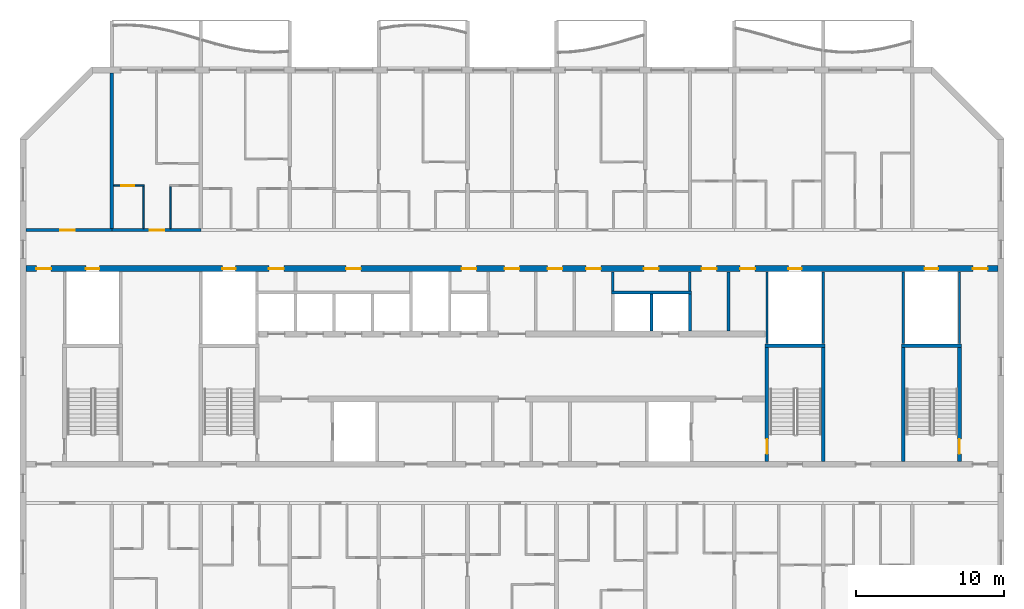
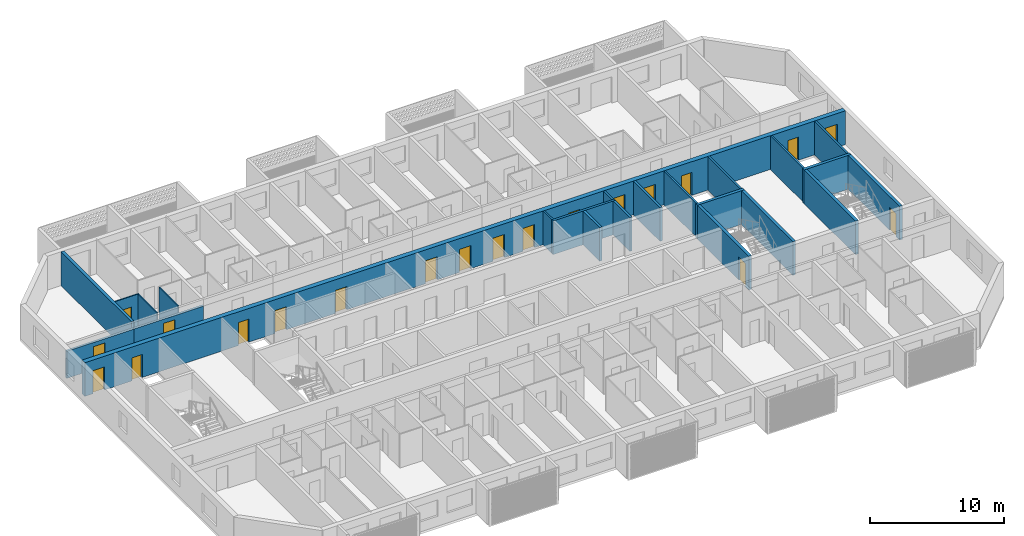
# One storey, part 7 of 27: 23 walls, 20 doors, 20 openings.
"""IFC4 building model written with IfcOpenShell, lengths in metres."""

from ifc_helpers import new_model, si_unit, direction, frame, frame_2d, origin, place, context, subcontext, project, spatial, rectangle, extrude, material, layer, layer_set, type_object, element, fill, save


model = new_model("IFC4")

# Units and contexts
model_context = context("Model", 3, precision=1e-05, world=origin(), true_north=direction((0.0, 1.0)))
body_context = subcontext(model_context, "Body", "Model", "MODEL_VIEW")
ifc_project = project(units=[si_unit("LENGTHUNIT", "METRE"), si_unit("AREAUNIT", "SQUARE_METRE"), si_unit("VOLUMEUNIT", "CUBIC_METRE"), si_unit("PLANEANGLEUNIT", "RADIAN"), si_unit("MASSUNIT", "GRAM", prefix="KILO")], contexts=[model_context])

# Site, building, storey
site_placement = place(None, origin())
site = spatial("IfcSite", under=ifc_project, at=site_placement, CompositionType="ELEMENT")
building_placement = place(site_placement, origin())
building = spatial("IfcBuilding", under=site, at=building_placement, Name="Poui Terraces", CompositionType="ELEMENT")
storey_placement = place(building_placement, frame((0.0, 0.0, 195.0)))
storey = spatial("IfcBuildingStorey", under=building, at=storey_placement, Name="L54", CompositionType="ELEMENT", Elevation=195.0)

# Wall, opening, door
ifc_material_1 = material(Name="Concrete 50 MPa", Category="concrete")
ifc_layer_1 = layer(ifc_material_1, 0.199951171875)
ifc_layer_set_1 = layer_set([ifc_layer_1], Name="Concrete 50 MPa")
wall_type_1 = type_object("IfcWallType", Name="CORRIDOR WALL 200 50MPa", PredefinedType="SHEAR", material=ifc_layer_set_1)
wall_1_placement = place(storey_placement, frame((18.199951171875, 30.39990234375, 0.0), z_axis=(0.0, 0.0, 1.0), x_axis=(1.0, 0.0, 0.0)))
wall_1 = element("IfcWall", 1, at=wall_1_placement, inside=storey, type_object=wall_type_1, Name="CORRIDOR WALL LINE E BAY 1", PredefinedType="SHEAR", context=body_context, shape_type="SweptSolid", body=[
    extrude(rectangle(XDim=5.800048828125, YDim=0.199951171875, at=frame_2d((2.89990234375, 0.0))), origin(), (0.0, 0.0, 1.0), 2.47998046875),
])
opening_1_placement = place(wall_1_placement, frame((2.300048828125, 0.0, 0.0)))
opening_1 = element("IfcOpeningElement", 2, at=opening_1_placement, cuts=wall_1, Name="Opening D100", PredefinedType="OPENING", context=body_context, shape_type="SweptSolid", body=[
    extrude(rectangle(XDim=1.0, YDim=2.10009765625, at=frame_2d((0.5, 1.050048828125))), frame((0.0, 0.10986328125, 0.0), z_axis=(0.0, -1.0, 0.0), x_axis=(1.0, 0.0, 0.0)), (0.0, 0.0, 1.0), 0.219970703125),
])
ifc_material_2 = material(Name="Solid core timber door", Category="wood")
door_type_1 = type_object("IfcDoorType", Name="ACCESSIBLE INTERNAL DOOR 1000 X 2100", OperationType="NOTDEFINED", PredefinedType="DOOR", material=ifc_material_2)
door_1_placement = place(opening_1_placement, origin())
door_1 = element("IfcDoor", 3, at=door_1_placement, inside=storey, type_object=door_type_1, Name="ACCESSIBLE INTERNAL DOOR 027", OperationType="SINGLE_SWING_LEFT", OverallHeight=2.10009765625, OverallWidth=1.0, PredefinedType="DOOR", context=body_context, shape_type="SweptSolid", body=[
    extrude(rectangle(XDim=1.0, YDim=2.10009765625, at=frame_2d((0.5, 1.050048828125))), frame((0.0, 0.02490234375, 0.0), z_axis=(0.0, -1.0, 0.0), x_axis=(1.0, 0.0, 0.0)), (0.0, 0.0, 1.0), 0.050048828125),
])
fill(opening_1, door_1)

wall_2_placement = place(storey_placement, frame((24.0, 30.39990234375, 0.0), z_axis=(0.0, 0.0, 1.0), x_axis=(1.0, 0.0, 0.0)))
wall_2 = element("IfcWall", 4, at=wall_2_placement, inside=storey, type_object=wall_type_1, Name="CORRIDOR WALL LINE E BAY 2", PredefinedType="SHEAR", context=body_context, shape_type="SweptSolid", body=[
    extrude(rectangle(XDim=6.0, YDim=0.199951171875, at=frame_2d((3.0, 0.0))), origin(), (0.0, 0.0, 1.0), 2.47998046875),
])
opening_2_placement = place(wall_2_placement, frame((2.550048828125, 0.0, 0.0)))
opening_2 = element("IfcOpeningElement", 5, at=opening_2_placement, cuts=wall_2, Name="Opening FD30S", PredefinedType="OPENING", context=body_context, shape_type="SweptSolid", body=[
    extrude(rectangle(XDim=1.0, YDim=2.10009765625, at=frame_2d((0.5, 1.050048828125))), frame((0.0, 0.10986328125, 0.0), z_axis=(0.0, -1.0, 0.0), x_axis=(1.0, 0.0, 0.0)), (0.0, 0.0, 1.0), 0.219970703125),
])
ifc_material_3 = material(Name="Steel fire door", Category="steel")
door_type_2 = type_object("IfcDoorType", Name="FLAT ENTRANCE DOOR 1000 X 2100", OperationType="NOTDEFINED", PredefinedType="DOOR", material=ifc_material_3)
door_2_placement = place(opening_2_placement, origin())
door_2 = element("IfcDoor", 6, at=door_2_placement, inside=storey, type_object=door_type_2, Name="FLAT ENTRANCE DOOR 029", OperationType="SINGLE_SWING_RIGHT", OverallHeight=2.10009765625, OverallWidth=1.0, PredefinedType="DOOR", context=body_context, shape_type="SweptSolid", body=[
    extrude(rectangle(XDim=1.0, YDim=2.10009765625, at=frame_2d((0.5, 1.050048828125))), frame((0.0, 0.02490234375, 0.0), z_axis=(0.0, -1.0, 0.0), x_axis=(1.0, 0.0, 0.0)), (0.0, 0.0, 1.0), 0.050048828125),
])
fill(opening_2, door_2)

# Wall
ifc_layer_2 = layer(ifc_material_1, 0.25)
ifc_layer_set_2 = layer_set([ifc_layer_2], Name="Concrete 50 MPa")
wall_type_2 = type_object("IfcWallType", Name="CROSS WALL 250 50MPa", PredefinedType="SHEAR", material=ifc_layer_set_2)
wall_3_placement = place(storey_placement, frame((24.0, 30.5, 0.0), z_axis=(0.0, 0.0, 1.0), x_axis=(0.0, 1.0, 0.0)))
element("IfcWall", 7, at=wall_3_placement, inside=storey, type_object=wall_type_2, Name="CROSS WALL LINE 5 NORTH", PredefinedType="SHEAR", context=body_context, shape_type="SweptSolid", body=[
    extrude(rectangle(XDim=10.5, YDim=0.25, at=frame_2d((5.25, 0.0))), origin(), (0.0, 0.0, 1.0), 3.080078125),
])

# Wall, opening, door
ifc_material_4 = material(Name="Plasterboard partition")
ifc_layer_3 = layer(ifc_material_4, 0.10009765625)
ifc_layer_set_3 = layer_set([ifc_layer_3], Name="Plasterboard partition")
wall_type_3 = type_object("IfcWallType", Name="FLAT PARTITION 100", PredefinedType="PARTITIONING", material=ifc_layer_set_3)
wall_4_placement = place(storey_placement, frame((24.135009765625, 33.39990234375, 0.0), z_axis=(0.0, 0.0, 1.0), x_axis=(1.0, 0.0, 0.0)))
wall_4 = element("IfcWall", 8, at=wall_4_placement, inside=storey, type_object=wall_type_3, Name="FLAT PARTITION 100", PredefinedType="PARTITIONING", context=body_context, shape_type="SweptSolid", body=[
    extrude(rectangle(XDim=2.06494140625, YDim=0.10009765625, at=frame_2d((1.032470703125, 0.0))), origin(), (0.0, 0.0, 1.0), 3.080078125),
])
opening_3_placement = place(wall_4_placement, frame((0.489990234375, 0.0, 0.0)))
opening_3 = element("IfcOpeningElement", 9, at=opening_3_placement, cuts=wall_4, Name="Opening D90", PredefinedType="OPENING", context=body_context, shape_type="SweptSolid", body=[
    extrude(rectangle(XDim=0.89990234375, YDim=2.10009765625, at=frame_2d((0.449951171875, 1.050048828125))), frame((0.0, 0.06005859375, 0.0), z_axis=(0.0, -1.0, 0.0), x_axis=(1.0, 0.0, 0.0)), (0.0, 0.0, 1.0), 0.1201171875),
])
door_type_3 = type_object("IfcDoorType", Name="INTERNAL DOOR 900 X 2100", OperationType="NOTDEFINED", PredefinedType="DOOR", material=ifc_material_2)
door_3_placement = place(opening_3_placement, frame((0.89990234375, 0.0, 0.0), z_axis=(0.0, 0.0, 1.0), x_axis=(-1.0, 0.0, 0.0)))
door_3 = element("IfcDoor", 10, at=door_3_placement, inside=storey, type_object=door_type_3, Name="INTERNAL DOOR 028", OperationType="SINGLE_SWING_LEFT", OverallHeight=2.10009765625, OverallWidth=0.89990234375, PredefinedType="DOOR", context=body_context, shape_type="SweptSolid", body=[
    extrude(rectangle(XDim=0.89990234375, YDim=2.10009765625, at=frame_2d((0.449951171875, 1.050048828125))), frame((0.0, 0.02490234375, 0.0), z_axis=(0.0, -1.0, 0.0), x_axis=(1.0, 0.0, 0.0)), (0.0, 0.0, 1.0), 0.050048828125),
])
fill(opening_3, door_3)

# Walls
for number, where, z_axis, x_axis, name in (
    (11, (26.14990234375, 30.510009765625, 0.0), (0.0, 0.0, 1.0), (0.0, 1.0, 0.0), "FLAT PARTITION 100"),
    (12, (27.949951171875, 30.510009765625, 0.0), (0.0, 0.0, 1.0), (0.0, 1.0, 0.0), "FLAT PARTITION 100"),
):
    element("IfcWall", number, at=place(storey_placement, frame(where, z_axis=z_axis, x_axis=x_axis)), inside=storey, type_object=wall_type_3, Name=name, PredefinedType="PARTITIONING", context=body_context, shape_type="SweptSolid", body=[
        extrude(rectangle(XDim=2.840087890625, YDim=0.10009765625, at=frame_2d((1.419921875, 0.0))), origin(), (0.0, 0.0, 1.0), 3.080078125),
    ])
ifc_layer_4 = layer(ifc_material_4, 0.14990234375)
ifc_layer_set_4 = layer_set([ifc_layer_4], Name="Plasterboard partition")
wall_type_4 = type_object("IfcWallType", Name="PARTITION WALL 150", PredefinedType="PARTITIONING", material=ifc_layer_set_4)
for number, where, z_axis, x_axis, name in (
    (13, (57.800048828125, 26.300048828125, 0.0), (0.0, 0.0, 1.0), (0.0, 1.0, 0.0), "PARTITION WALL 150"),
    (14, (63.0, 26.300048828125, 0.0), (0.0, 0.0, 1.0), (0.0, 1.0, 0.0), "PARTITION WALL 150"),
):
    element("IfcWall", number, at=place(storey_placement, frame(where, z_axis=z_axis, x_axis=x_axis)), inside=storey, type_object=wall_type_4, Name=name, PredefinedType="PARTITIONING", context=body_context, shape_type="SweptSolid", body=[
        extrude(rectangle(XDim=1.2900390625, YDim=0.14990234375, at=frame_2d((0.64501953125, 0.0))), origin(), (0.0, 0.0, 1.0), 3.080078125),
    ])
ifc_material_5 = material(Name="Fire-rated masonry wall", Category="masonry")
ifc_layer_5 = layer(ifc_material_5, 0.199951171875)
ifc_layer_set_5 = layer_set([ifc_layer_5], Name="Fire-rated masonry wall")
wall_type_5 = type_object("IfcWallType", Name="PLANT ROOM WALL 200", PredefinedType="PARTITIONING", material=ifc_layer_set_5)
wall_5_placement = place(storey_placement, frame((65.60009765625, 23.610107421875, 0.0), z_axis=(0.0, 0.0, 1.0), x_axis=(0.0, 1.0, 0.0)))
element("IfcWall", 15, at=wall_5_placement, inside=storey, type_object=wall_type_5, Name="PLANT ROOM WALL 200", PredefinedType="PARTITIONING", context=body_context, shape_type="SweptSolid", body=[
    extrude(rectangle(XDim=3.97998046875, YDim=0.199951171875, at=frame_2d((1.989990234375, 0.0))), origin(), (0.0, 0.0, 1.0), 3.080078125),
])
ifc_material_6 = material(Name="Fire-rated plasterboard riser wall")
ifc_layer_6 = layer(ifc_material_6, 0.14990234375)
ifc_layer_set_6 = layer_set([ifc_layer_6], Name="Fire-rated plasterboard riser wall")
wall_type_6 = type_object("IfcWallType", Name="RISER WALL 150", PredefinedType="PARTITIONING", material=ifc_layer_set_6)
for number, where, z_axis, x_axis, name in (
    (16, (68.199951171875, 22.735107421875, 0.0), (0.0, 0.0, 1.0), (0.0, 1.0, 0.0), "RISER WALL 150"),
    (17, (72.0, 22.735107421875, 0.0), (0.0, 0.0, 1.0), (0.0, 1.0, 0.0), "RISER WALL 150"),
    (18, (77.39990234375, 22.735107421875, 0.0), (0.0, 0.0, 1.0), (0.0, 1.0, 0.0), "RISER WALL 150"),
    (19, (81.199951171875, 22.735107421875, 0.0), (0.0, 0.0, 1.0), (0.0, 1.0, 0.0), "RISER WALL 150"),
):
    element("IfcWall", number, at=place(storey_placement, frame(where, z_axis=z_axis, x_axis=x_axis)), inside=storey, type_object=wall_type_6, Name=name, PredefinedType="PARTITIONING", context=body_context, shape_type="SweptSolid", body=[
        extrude(rectangle(XDim=4.85498046875, YDim=0.14990234375, at=frame_2d((2.427490234375, 0.0))), origin(), (0.0, 0.0, 1.0), 3.080078125),
    ])
ifc_material_7 = material(Name="Fire-rated masonry shaft wall", Category="masonry")
ifc_layer_7 = layer(ifc_material_7, 0.199951171875)
ifc_layer_set_7 = layer_set([ifc_layer_7], Name="Fire-rated masonry shaft wall")
wall_type_7 = type_object("IfcWallType", Name="SHAFT WALL 200", PredefinedType="PARTITIONING", material=ifc_layer_set_7)
wall_6_placement = place(storey_placement, frame((57.699951171875, 26.199951171875, 0.0), z_axis=(0.0, 0.0, 1.0), x_axis=(1.0, 0.0, 0.0)))
element("IfcWall", 20, at=wall_6_placement, inside=storey, type_object=wall_type_7, Name="SHAFT WALL 200", PredefinedType="PARTITIONING", context=body_context, shape_type="SweptSolid", body=[
    extrude(rectangle(XDim=5.400146484375, YDim=0.199951171875, at=frame_2d((2.7001953125, 0.0))), origin(), (0.0, 0.0, 1.0), 3.080078125),
])
for number, where, z_axis, x_axis, name in (
    (21, (60.39990234375, 23.610107421875, 0.0), (0.0, 0.0, 1.0), (0.0, 1.0, 0.0), "SHAFT WALL 200"),
    (22, (63.0, 23.610107421875, 0.0), (0.0, 0.0, 1.0), (0.0, 1.0, 0.0), "SHAFT WALL 200"),
):
    element("IfcWall", number, at=place(storey_placement, frame(where, z_axis=z_axis, x_axis=x_axis)), inside=storey, type_object=wall_type_7, Name=name, PredefinedType="PARTITIONING", context=body_context, shape_type="SweptSolid", body=[
        extrude(rectangle(XDim=2.489990234375, YDim=0.199951171875, at=frame_2d((1.2451171875, 0.0))), origin(), (0.0, 0.0, 1.0), 3.080078125),
    ])

# Wall, openings, doors
ifc_layer_8 = layer(ifc_material_1, 0.39990234375)
ifc_layer_set_8 = layer_set([ifc_layer_8], Name="Concrete 50 MPa")
wall_type_8 = type_object("IfcWallType", Name="SPINE WALL 400 50 MPA", PredefinedType="SOLIDWALL", material=ifc_layer_set_8)
wall_7_placement = place(storey_placement, frame((18.199951171875, 27.800048828125, 0.0), z_axis=(0.0, 0.0, 1.0), x_axis=(1.0, 0.0, 0.0)))
wall_7 = element("IfcWall", 23, at=wall_7_placement, inside=storey, type_object=wall_type_8, Name="SPINE WALL", PredefinedType="SOLIDWALL", context=body_context, shape_type="SweptSolid", body=[
    extrude(rectangle(XDim=65.60009765625, YDim=0.39990234375, at=frame_2d((32.800048828125, 0.0))), origin(), (0.0, 0.0, 1.0), 3.080078125),
])
opening_4_placement = place(wall_7_placement, frame((0.699951171875, 0.0, 0.0)))
opening_4 = element("IfcOpeningElement", 24, at=opening_4_placement, cuts=wall_7, Name="Opening FDL", PredefinedType="OPENING", context=body_context, shape_type="SweptSolid", body=[
    extrude(rectangle(XDim=1.0, YDim=2.10009765625, at=frame_2d((0.5, 1.050048828125))), frame((0.0, 0.2099609375, 0.0), z_axis=(0.0, -1.0, 0.0), x_axis=(1.0, 0.0, 0.0)), (0.0, 0.0, 1.0), 0.419921875),
])
opening_5_placement = place(wall_7_placement, frame((4.050048828125, 0.0, 0.0)))
opening_5 = element("IfcOpeningElement", 25, at=opening_5_placement, cuts=wall_7, Name="Opening FDR", PredefinedType="OPENING", context=body_context, shape_type="SweptSolid", body=[
    extrude(rectangle(XDim=0.89990234375, YDim=2.10009765625, at=frame_2d((0.449951171875, 1.050048828125))), frame((0.0, 0.2099609375, 0.0), z_axis=(0.0, -1.0, 0.0), x_axis=(1.0, 0.0, 0.0)), (0.0, 0.0, 1.0), 0.419921875),
])
opening_6_placement = place(wall_7_placement, frame((13.25, 0.0, 0.0)))
opening_6 = element("IfcOpeningElement", 26, at=opening_6_placement, cuts=wall_7, Name="Opening FDR", PredefinedType="OPENING", context=body_context, shape_type="SweptSolid", body=[
    extrude(rectangle(XDim=0.89990234375, YDim=2.10009765625, at=frame_2d((0.449951171875, 1.050048828125))), frame((0.0, 0.2099609375, 0.0), z_axis=(0.0, -1.0, 0.0), x_axis=(1.0, 0.0, 0.0)), (0.0, 0.0, 1.0), 0.419921875),
])
opening_7_placement = place(wall_7_placement, frame((16.39990234375, 0.0, 0.0)))
opening_7 = element("IfcOpeningElement", 27, at=opening_7_placement, cuts=wall_7, Name="Opening FD60", PredefinedType="OPENING", context=body_context, shape_type="SweptSolid", body=[
    extrude(rectangle(XDim=1.0, YDim=2.10009765625, at=frame_2d((0.5, 1.050048828125))), frame((0.0, 0.2099609375, 0.0), z_axis=(0.0, -1.0, 0.0), x_axis=(1.0, 0.0, 0.0)), (0.0, 0.0, 1.0), 0.419921875),
])
opening_8_placement = place(wall_7_placement, frame((21.60009765625, 0.0, 0.0)))
opening_8 = element("IfcOpeningElement", 28, at=opening_8_placement, cuts=wall_7, Name="Opening FD60", PredefinedType="OPENING", context=body_context, shape_type="SweptSolid", body=[
    extrude(rectangle(XDim=1.0, YDim=2.10009765625, at=frame_2d((0.5, 1.050048828125))), frame((0.0, 0.2099609375, 0.0), z_axis=(0.0, -1.0, 0.0), x_axis=(1.0, 0.0, 0.0)), (0.0, 0.0, 1.0), 0.419921875),
])
opening_9_placement = place(wall_7_placement, frame((29.39990234375, 0.0, 0.0)))
opening_9 = element("IfcOpeningElement", 29, at=opening_9_placement, cuts=wall_7, Name="Opening FD60", PredefinedType="OPENING", context=body_context, shape_type="SweptSolid", body=[
    extrude(rectangle(XDim=1.0, YDim=2.10009765625, at=frame_2d((0.5, 1.050048828125))), frame((0.0, 0.2099609375, 0.0), z_axis=(0.0, -1.0, 0.0), x_axis=(1.0, 0.0, 0.0)), (0.0, 0.0, 1.0), 0.419921875),
])
opening_10_placement = place(wall_7_placement, frame((32.300048828125, 0.0, 0.0)))
opening_10 = element("IfcOpeningElement", 30, at=opening_10_placement, cuts=wall_7, Name="Opening FDL", PredefinedType="OPENING", context=body_context, shape_type="SweptSolid", body=[
    extrude(rectangle(XDim=1.0, YDim=2.10009765625, at=frame_2d((0.5, 1.050048828125))), frame((0.0, 0.2099609375, 0.0), z_axis=(0.0, -1.0, 0.0), x_axis=(1.0, 0.0, 0.0)), (0.0, 0.0, 1.0), 0.419921875),
])
opening_11_placement = place(wall_7_placement, frame((35.199951171875, 0.0, 0.0)))
opening_11 = element("IfcOpeningElement", 31, at=opening_11_placement, cuts=wall_7, Name="Opening FD60", PredefinedType="OPENING", context=body_context, shape_type="SweptSolid", body=[
    extrude(rectangle(XDim=1.0, YDim=2.10009765625, at=frame_2d((0.5, 1.050048828125))), frame((0.0, 0.2099609375, 0.0), z_axis=(0.0, -1.0, 0.0), x_axis=(1.0, 0.0, 0.0)), (0.0, 0.0, 1.0), 0.419921875),
])
opening_12_placement = place(wall_7_placement, frame((37.800048828125, 0.0, 0.0)))
opening_12 = element("IfcOpeningElement", 32, at=opening_12_placement, cuts=wall_7, Name="Opening FD60", PredefinedType="OPENING", context=body_context, shape_type="SweptSolid", body=[
    extrude(rectangle(XDim=1.0, YDim=2.10009765625, at=frame_2d((0.5, 1.050048828125))), frame((0.0, 0.2099609375, 0.0), z_axis=(0.0, -1.0, 0.0), x_axis=(1.0, 0.0, 0.0)), (0.0, 0.0, 1.0), 0.419921875),
])
opening_13_placement = place(wall_7_placement, frame((41.699951171875, 0.0, 0.0)))
opening_13 = element("IfcOpeningElement", 33, at=opening_13_placement, cuts=wall_7, Name="Opening FD60", PredefinedType="OPENING", context=body_context, shape_type="SweptSolid", body=[
    extrude(rectangle(XDim=1.0, YDim=2.10009765625, at=frame_2d((0.5, 1.050048828125))), frame((0.0, 0.2099609375, 0.0), z_axis=(0.0, -1.0, 0.0), x_axis=(1.0, 0.0, 0.0)), (0.0, 0.0, 1.0), 0.419921875),
])
opening_14_placement = place(wall_7_placement, frame((45.60009765625, 0.0, 0.0)))
opening_14 = element("IfcOpeningElement", 34, at=opening_14_placement, cuts=wall_7, Name="Opening FD60", PredefinedType="OPENING", context=body_context, shape_type="SweptSolid", body=[
    extrude(rectangle(XDim=1.0, YDim=2.10009765625, at=frame_2d((0.5, 1.050048828125))), frame((0.0, 0.2099609375, 0.0), z_axis=(0.0, -1.0, 0.0), x_axis=(1.0, 0.0, 0.0)), (0.0, 0.0, 1.0), 0.419921875),
])
opening_15_placement = place(wall_7_placement, frame((48.199951171875, 0.0, 0.0)))
opening_15 = element("IfcOpeningElement", 35, at=opening_15_placement, cuts=wall_7, Name="Opening FD60", PredefinedType="OPENING", context=body_context, shape_type="SweptSolid", body=[
    extrude(rectangle(XDim=1.0, YDim=2.10009765625, at=frame_2d((0.5, 1.050048828125))), frame((0.0, 0.2099609375, 0.0), z_axis=(0.0, -1.0, 0.0), x_axis=(1.0, 0.0, 0.0)), (0.0, 0.0, 1.0), 0.419921875),
])
opening_16_placement = place(wall_7_placement, frame((51.449951171875, 0.0, 0.0)))
opening_16 = element("IfcOpeningElement", 36, at=opening_16_placement, cuts=wall_7, Name="Opening FDR", PredefinedType="OPENING", context=body_context, shape_type="SweptSolid", body=[
    extrude(rectangle(XDim=0.89990234375, YDim=2.10009765625, at=frame_2d((0.449951171875, 1.050048828125))), frame((0.0, 0.2099609375, 0.0), z_axis=(0.0, -1.0, 0.0), x_axis=(1.0, 0.0, 0.0)), (0.0, 0.0, 1.0), 0.419921875),
])
opening_17_placement = place(wall_7_placement, frame((60.64990234375, 0.0, 0.0)))
opening_17 = element("IfcOpeningElement", 37, at=opening_17_placement, cuts=wall_7, Name="Opening FDR", PredefinedType="OPENING", context=body_context, shape_type="SweptSolid", body=[
    extrude(rectangle(XDim=0.89990234375, YDim=2.10009765625, at=frame_2d((0.449951171875, 1.050048828125))), frame((0.0, 0.2099609375, 0.0), z_axis=(0.0, -1.0, 0.0), x_axis=(1.0, 0.0, 0.0)), (0.0, 0.0, 1.0), 0.419921875),
])
opening_18_placement = place(wall_7_placement, frame((63.89990234375, 0.0, 0.0)))
opening_18 = element("IfcOpeningElement", 38, at=opening_18_placement, cuts=wall_7, Name="Opening FDL", PredefinedType="OPENING", context=body_context, shape_type="SweptSolid", body=[
    extrude(rectangle(XDim=1.0, YDim=2.10009765625, at=frame_2d((0.5, 1.050048828125))), frame((0.0, 0.2099609375, 0.0), z_axis=(0.0, -1.0, 0.0), x_axis=(1.0, 0.0, 0.0)), (0.0, 0.0, 1.0), 0.419921875),
])
door_type_4 = type_object("IfcDoorType", Name="LOBBY FIRE DOOR 1000 X 2100", OperationType="NOTDEFINED", PredefinedType="DOOR", material=ifc_material_3)
door_4_placement = place(opening_4_placement, origin())
door_4 = element("IfcDoor", 39, at=door_4_placement, inside=storey, type_object=door_type_4, Name="LOBBY FIRE DOOR 001", OperationType="SINGLE_SWING_LEFT", OverallHeight=2.10009765625, OverallWidth=1.0, PredefinedType="DOOR", context=body_context, shape_type="SweptSolid", body=[
    extrude(rectangle(XDim=1.0, YDim=2.10009765625, at=frame_2d((0.5, 1.050048828125))), frame((0.0, 0.02490234375, 0.0), z_axis=(0.0, -1.0, 0.0), x_axis=(1.0, 0.0, 0.0)), (0.0, 0.0, 1.0), 0.050048828125),
])
fill(opening_4, door_4)
door_5_placement = place(opening_10_placement, origin())
door_5 = element("IfcDoor", 40, at=door_5_placement, inside=storey, type_object=door_type_4, Name="LOBBY FIRE DOOR 007", OperationType="SINGLE_SWING_RIGHT", OverallHeight=2.10009765625, OverallWidth=1.0, PredefinedType="DOOR", context=body_context, shape_type="SweptSolid", body=[
    extrude(rectangle(XDim=1.0, YDim=2.10009765625, at=frame_2d((0.5, 1.050048828125))), frame((0.0, 0.02490234375, 0.0), z_axis=(0.0, -1.0, 0.0), x_axis=(1.0, 0.0, 0.0)), (0.0, 0.0, 1.0), 0.050048828125),
])
fill(opening_10, door_5)
door_6_placement = place(opening_18_placement, origin())
door_6 = element("IfcDoor", 41, at=door_6_placement, inside=storey, type_object=door_type_4, Name="LOBBY FIRE DOOR 015", OperationType="SINGLE_SWING_RIGHT", OverallHeight=2.10009765625, OverallWidth=1.0, PredefinedType="DOOR", context=body_context, shape_type="SweptSolid", body=[
    extrude(rectangle(XDim=1.0, YDim=2.10009765625, at=frame_2d((0.5, 1.050048828125))), frame((0.0, 0.02490234375, 0.0), z_axis=(0.0, -1.0, 0.0), x_axis=(1.0, 0.0, 0.0)), (0.0, 0.0, 1.0), 0.050048828125),
])
fill(opening_18, door_6)
door_type_5 = type_object("IfcDoorType", Name="RISER CUPBOARD DOOR 900 X 2100", OperationType="NOTDEFINED", PredefinedType="DOOR", material=ifc_material_3)
door_7_placement = place(opening_5_placement, origin())
door_7 = element("IfcDoor", 42, at=door_7_placement, inside=storey, type_object=door_type_5, Name="RISER CUPBOARD DOOR 002", OperationType="SINGLE_SWING_LEFT", OverallHeight=2.10009765625, OverallWidth=0.89990234375, PredefinedType="DOOR", context=body_context, shape_type="SweptSolid", body=[
    extrude(rectangle(XDim=0.89990234375, YDim=2.10009765625, at=frame_2d((0.449951171875, 1.050048828125))), frame((0.0, 0.02490234375, 0.0), z_axis=(0.0, -1.0, 0.0), x_axis=(1.0, 0.0, 0.0)), (0.0, 0.0, 1.0), 0.050048828125),
])
fill(opening_5, door_7)
door_8_placement = place(opening_6_placement, origin())
door_8 = element("IfcDoor", 43, at=door_8_placement, inside=storey, type_object=door_type_5, Name="RISER CUPBOARD DOOR 003", OperationType="SINGLE_SWING_LEFT", OverallHeight=2.10009765625, OverallWidth=0.89990234375, PredefinedType="DOOR", context=body_context, shape_type="SweptSolid", body=[
    extrude(rectangle(XDim=0.89990234375, YDim=2.10009765625, at=frame_2d((0.449951171875, 1.050048828125))), frame((0.0, 0.02490234375, 0.0), z_axis=(0.0, -1.0, 0.0), x_axis=(1.0, 0.0, 0.0)), (0.0, 0.0, 1.0), 0.050048828125),
])
fill(opening_6, door_8)
door_9_placement = place(opening_16_placement, origin())
door_9 = element("IfcDoor", 44, at=door_9_placement, inside=storey, type_object=door_type_5, Name="RISER CUPBOARD DOOR 013", OperationType="SINGLE_SWING_RIGHT", OverallHeight=2.10009765625, OverallWidth=0.89990234375, PredefinedType="DOOR", context=body_context, shape_type="SweptSolid", body=[
    extrude(rectangle(XDim=0.89990234375, YDim=2.10009765625, at=frame_2d((0.449951171875, 1.050048828125))), frame((0.0, 0.02490234375, 0.0), z_axis=(0.0, -1.0, 0.0), x_axis=(1.0, 0.0, 0.0)), (0.0, 0.0, 1.0), 0.050048828125),
])
fill(opening_16, door_9)
door_10_placement = place(opening_17_placement, origin())
door_10 = element("IfcDoor", 45, at=door_10_placement, inside=storey, type_object=door_type_5, Name="RISER CUPBOARD DOOR 014", OperationType="SINGLE_SWING_RIGHT", OverallHeight=2.10009765625, OverallWidth=0.89990234375, PredefinedType="DOOR", context=body_context, shape_type="SweptSolid", body=[
    extrude(rectangle(XDim=0.89990234375, YDim=2.10009765625, at=frame_2d((0.449951171875, 1.050048828125))), frame((0.0, 0.02490234375, 0.0), z_axis=(0.0, -1.0, 0.0), x_axis=(1.0, 0.0, 0.0)), (0.0, 0.0, 1.0), 0.050048828125),
])
fill(opening_17, door_10)
door_type_6 = type_object("IfcDoorType", Name="SERVICE ROOM FIRE DOOR 1000 X 2100", OperationType="NOTDEFINED", PredefinedType="DOOR", material=ifc_material_3)
door_11_placement = place(opening_7_placement, origin())
door_11 = element("IfcDoor", 46, at=door_11_placement, inside=storey, type_object=door_type_6, Name="SERVICE ROOM FIRE DOOR 004", OperationType="SINGLE_SWING_LEFT", OverallHeight=2.10009765625, OverallWidth=1.0, PredefinedType="DOOR", context=body_context, shape_type="SweptSolid", body=[
    extrude(rectangle(XDim=1.0, YDim=2.10009765625, at=frame_2d((0.5, 1.050048828125))), frame((0.0, 0.02490234375, 0.0), z_axis=(0.0, -1.0, 0.0), x_axis=(1.0, 0.0, 0.0)), (0.0, 0.0, 1.0), 0.050048828125),
])
fill(opening_7, door_11)
door_12_placement = place(opening_8_placement, origin())
door_12 = element("IfcDoor", 47, at=door_12_placement, inside=storey, type_object=door_type_6, Name="SERVICE ROOM FIRE DOOR 005", OperationType="SINGLE_SWING_RIGHT", OverallHeight=2.10009765625, OverallWidth=1.0, PredefinedType="DOOR", context=body_context, shape_type="SweptSolid", body=[
    extrude(rectangle(XDim=1.0, YDim=2.10009765625, at=frame_2d((0.5, 1.050048828125))), frame((0.0, 0.02490234375, 0.0), z_axis=(0.0, -1.0, 0.0), x_axis=(1.0, 0.0, 0.0)), (0.0, 0.0, 1.0), 0.050048828125),
])
fill(opening_8, door_12)
door_13_placement = place(opening_9_placement, origin())
door_13 = element("IfcDoor", 48, at=door_13_placement, inside=storey, type_object=door_type_6, Name="SERVICE ROOM FIRE DOOR 006", OperationType="SINGLE_SWING_LEFT", OverallHeight=2.10009765625, OverallWidth=1.0, PredefinedType="DOOR", context=body_context, shape_type="SweptSolid", body=[
    extrude(rectangle(XDim=1.0, YDim=2.10009765625, at=frame_2d((0.5, 1.050048828125))), frame((0.0, 0.02490234375, 0.0), z_axis=(0.0, -1.0, 0.0), x_axis=(1.0, 0.0, 0.0)), (0.0, 0.0, 1.0), 0.050048828125),
])
fill(opening_9, door_13)
door_14_placement = place(opening_11_placement, origin())
door_14 = element("IfcDoor", 49, at=door_14_placement, inside=storey, type_object=door_type_6, Name="SERVICE ROOM FIRE DOOR 008", OperationType="SINGLE_SWING_RIGHT", OverallHeight=2.10009765625, OverallWidth=1.0, PredefinedType="DOOR", context=body_context, shape_type="SweptSolid", body=[
    extrude(rectangle(XDim=1.0, YDim=2.10009765625, at=frame_2d((0.5, 1.050048828125))), frame((0.0, 0.02490234375, 0.0), z_axis=(0.0, -1.0, 0.0), x_axis=(1.0, 0.0, 0.0)), (0.0, 0.0, 1.0), 0.050048828125),
])
fill(opening_11, door_14)
door_15_placement = place(opening_12_placement, origin())
door_15 = element("IfcDoor", 50, at=door_15_placement, inside=storey, type_object=door_type_6, Name="SERVICE ROOM FIRE DOOR 009", OperationType="SINGLE_SWING_LEFT", OverallHeight=2.10009765625, OverallWidth=1.0, PredefinedType="DOOR", context=body_context, shape_type="SweptSolid", body=[
    extrude(rectangle(XDim=1.0, YDim=2.10009765625, at=frame_2d((0.5, 1.050048828125))), frame((0.0, 0.02490234375, 0.0), z_axis=(0.0, -1.0, 0.0), x_axis=(1.0, 0.0, 0.0)), (0.0, 0.0, 1.0), 0.050048828125),
])
fill(opening_12, door_15)
door_16_placement = place(opening_13_placement, origin())
door_16 = element("IfcDoor", 51, at=door_16_placement, inside=storey, type_object=door_type_6, Name="SERVICE ROOM FIRE DOOR 010", OperationType="SINGLE_SWING_RIGHT", OverallHeight=2.10009765625, OverallWidth=1.0, PredefinedType="DOOR", context=body_context, shape_type="SweptSolid", body=[
    extrude(rectangle(XDim=1.0, YDim=2.10009765625, at=frame_2d((0.5, 1.050048828125))), frame((0.0, 0.02490234375, 0.0), z_axis=(0.0, -1.0, 0.0), x_axis=(1.0, 0.0, 0.0)), (0.0, 0.0, 1.0), 0.050048828125),
])
fill(opening_13, door_16)
door_17_placement = place(opening_14_placement, origin())
door_17 = element("IfcDoor", 52, at=door_17_placement, inside=storey, type_object=door_type_6, Name="SERVICE ROOM FIRE DOOR 011", OperationType="SINGLE_SWING_LEFT", OverallHeight=2.10009765625, OverallWidth=1.0, PredefinedType="DOOR", context=body_context, shape_type="SweptSolid", body=[
    extrude(rectangle(XDim=1.0, YDim=2.10009765625, at=frame_2d((0.5, 1.050048828125))), frame((0.0, 0.02490234375, 0.0), z_axis=(0.0, -1.0, 0.0), x_axis=(1.0, 0.0, 0.0)), (0.0, 0.0, 1.0), 0.050048828125),
])
fill(opening_14, door_17)
door_18_placement = place(opening_15_placement, origin())
door_18 = element("IfcDoor", 53, at=door_18_placement, inside=storey, type_object=door_type_6, Name="SERVICE ROOM FIRE DOOR 012", OperationType="SINGLE_SWING_RIGHT", OverallHeight=2.10009765625, OverallWidth=1.0, PredefinedType="DOOR", context=body_context, shape_type="SweptSolid", body=[
    extrude(rectangle(XDim=1.0, YDim=2.10009765625, at=frame_2d((0.5, 1.050048828125))), frame((0.0, 0.02490234375, 0.0), z_axis=(0.0, -1.0, 0.0), x_axis=(1.0, 0.0, 0.0)), (0.0, 0.0, 1.0), 0.050048828125),
])
fill(opening_15, door_18)

# Wall, opening, door
ifc_layer_9 = layer(ifc_material_1, 0.25)
ifc_layer_set_9 = layer_set([ifc_layer_9], Name="Concrete 50 MPa")
wall_type_9 = type_object("IfcWallType", Name="STAIR CORE WALL 250 50 MPA", PredefinedType="SOLIDWALL", material=ifc_layer_set_9)
wall_8_placement = place(storey_placement, frame((68.199951171875, 14.800048828125, 0.0), z_axis=(0.0, 0.0, 1.0), x_axis=(0.0, 1.0, 0.0)))
wall_8 = element("IfcWall", 54, at=wall_8_placement, inside=storey, type_object=wall_type_9, Name="STAIR CORE WALL", PredefinedType="SOLIDWALL", context=body_context, shape_type="SweptSolid", body=[
    extrude(rectangle(XDim=7.675048828125, YDim=0.25, at=frame_2d((3.83740234375, 0.0))), origin(), (0.0, 0.0, 1.0), 3.080078125),
])
opening_19_placement = place(wall_8_placement, frame((0.5, 0.0, 0.0)))
opening_19 = element("IfcOpeningElement", 55, at=opening_19_placement, cuts=wall_8, Name="Opening FD60S", PredefinedType="OPENING", context=body_context, shape_type="SweptSolid", body=[
    extrude(rectangle(XDim=1.0, YDim=2.10009765625, at=frame_2d((0.5, 1.050048828125))), frame((0.0, 0.135009765625, 0.0), z_axis=(0.0, -1.0, 0.0), x_axis=(1.0, 0.0, 0.0)), (0.0, 0.0, 1.0), 0.27001953125),
])
door_type_7 = type_object("IfcDoorType", Name="STAIR DOOR 1000 X 2100", OperationType="NOTDEFINED", PredefinedType="DOOR", material=ifc_material_3)
door_19_placement = place(opening_19_placement, frame((1.0, 0.0, 0.0), z_axis=(0.0, 0.0, 1.0), x_axis=(-1.0, 0.0, 0.0)))
door_19 = element("IfcDoor", 56, at=door_19_placement, inside=storey, type_object=door_type_7, Name="STAIR DOOR 100", OperationType="SINGLE_SWING_LEFT", OverallHeight=2.10009765625, OverallWidth=1.0, PredefinedType="DOOR", context=body_context, shape_type="SweptSolid", body=[
    extrude(rectangle(XDim=1.0, YDim=2.10009765625, at=frame_2d((0.5, 1.050048828125))), frame((0.0, 0.02490234375, 0.0), z_axis=(0.0, -1.0, 0.0), x_axis=(1.0, 0.0, 0.0)), (0.0, 0.0, 1.0), 0.050048828125),
])
fill(opening_19, door_19)

# Walls
wall_9_placement = place(storey_placement, frame((72.0, 14.800048828125, 0.0), z_axis=(0.0, 0.0, 1.0), x_axis=(0.0, 1.0, 0.0)))
element("IfcWall", 57, at=wall_9_placement, inside=storey, type_object=wall_type_9, Name="STAIR CORE WALL", PredefinedType="SOLIDWALL", context=body_context, shape_type="SweptSolid", body=[
    extrude(rectangle(XDim=7.675048828125, YDim=0.25, at=frame_2d((3.83740234375, 0.0))), origin(), (0.0, 0.0, 1.0), 3.080078125),
])
wall_10_placement = place(storey_placement, frame((68.074951171875, 22.60009765625, 0.0), z_axis=(0.0, 0.0, 1.0), x_axis=(1.0, 0.0, 0.0)))
element("IfcWall", 58, at=wall_10_placement, inside=storey, type_object=wall_type_9, Name="STAIR CORE WALL", PredefinedType="SOLIDWALL", context=body_context, shape_type="SweptSolid", body=[
    extrude(rectangle(XDim=4.050048828125, YDim=0.25, at=frame_2d((2.02490234375, 0.0))), origin(), (0.0, 0.0, 1.0), 3.080078125),
])
wall_11_placement = place(storey_placement, frame((77.39990234375, 14.800048828125, 0.0), z_axis=(0.0, 0.0, 1.0), x_axis=(0.0, 1.0, 0.0)))
element("IfcWall", 59, at=wall_11_placement, inside=storey, type_object=wall_type_9, Name="STAIR CORE WALL", PredefinedType="SOLIDWALL", context=body_context, shape_type="SweptSolid", body=[
    extrude(rectangle(XDim=7.675048828125, YDim=0.25, at=frame_2d((3.83740234375, 0.0))), origin(), (0.0, 0.0, 1.0), 3.080078125),
])

# Wall, opening, door
wall_12_placement = place(storey_placement, frame((81.199951171875, 14.800048828125, 0.0), z_axis=(0.0, 0.0, 1.0), x_axis=(0.0, 1.0, 0.0)))
wall_12 = element("IfcWall", 60, at=wall_12_placement, inside=storey, type_object=wall_type_9, Name="STAIR CORE WALL", PredefinedType="SOLIDWALL", context=body_context, shape_type="SweptSolid", body=[
    extrude(rectangle(XDim=7.675048828125, YDim=0.25, at=frame_2d((3.83740234375, 0.0))), origin(), (0.0, 0.0, 1.0), 3.080078125),
])
opening_20_placement = place(wall_12_placement, frame((0.5, 0.0, 0.0)))
opening_20 = element("IfcOpeningElement", 61, at=opening_20_placement, cuts=wall_12, Name="Opening FD60S", PredefinedType="OPENING", context=body_context, shape_type="SweptSolid", body=[
    extrude(rectangle(XDim=1.0, YDim=2.10009765625, at=frame_2d((0.5, 1.050048828125))), frame((0.0, 0.135009765625, 0.0), z_axis=(0.0, -1.0, 0.0), x_axis=(1.0, 0.0, 0.0)), (0.0, 0.0, 1.0), 0.27001953125),
])
door_20_placement = place(opening_20_placement, origin())
door_20 = element("IfcDoor", 62, at=door_20_placement, inside=storey, type_object=door_type_7, Name="STAIR DOOR 114", OperationType="SINGLE_SWING_LEFT", OverallHeight=2.10009765625, OverallWidth=1.0, PredefinedType="DOOR", context=body_context, shape_type="SweptSolid", body=[
    extrude(rectangle(XDim=1.0, YDim=2.10009765625, at=frame_2d((0.5, 1.050048828125))), frame((0.0, 0.02490234375, 0.0), z_axis=(0.0, -1.0, 0.0), x_axis=(1.0, 0.0, 0.0)), (0.0, 0.0, 1.0), 0.050048828125),
])
fill(opening_20, door_20)

# Wall
wall_13_placement = place(storey_placement, frame((77.27490234375, 22.60009765625, 0.0), z_axis=(0.0, 0.0, 1.0), x_axis=(1.0, 0.0, 0.0)))
element("IfcWall", 63, at=wall_13_placement, inside=storey, type_object=wall_type_9, Name="STAIR CORE WALL", PredefinedType="SOLIDWALL", context=body_context, shape_type="SweptSolid", body=[
    extrude(rectangle(XDim=4.050048828125, YDim=0.25, at=frame_2d((2.02490234375, 0.0))), origin(), (0.0, 0.0, 1.0), 3.080078125),
])

save(model, "model.ifc")
